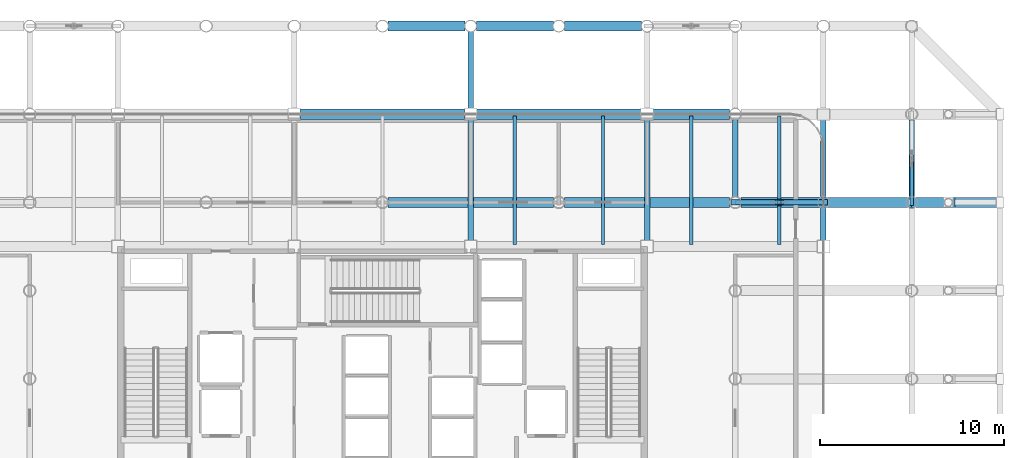
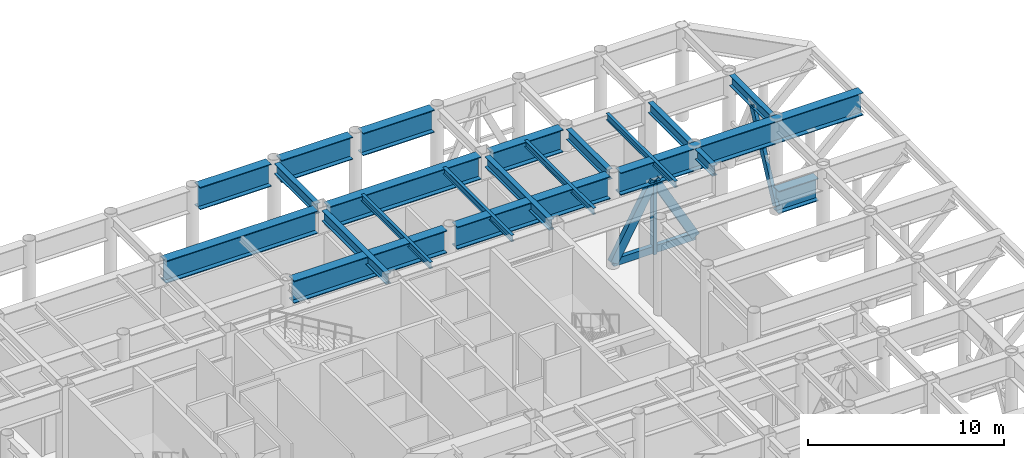
# One storey, part 10 of 20: 21 beams, 5 members.
"""IFC4 building model written with IfcOpenShell, lengths in metres."""

from ifc_helpers import new_model, si_unit, direction, frame, origin, origin_2d, place, context, subcontext, project, spatial, hollow_rectangle, i_section, extrude, material, material_profile, profile_set, type_object, element, save


model = new_model("IFC4")

# Units and contexts
model_context = context("Model", 3, precision=1e-05, world=origin(), true_north=direction((0.0, 1.0)))
body_context = subcontext(model_context, "Body", "Model", "MODEL_VIEW")
ifc_project = project(units=[si_unit("LENGTHUNIT", "METRE"), si_unit("AREAUNIT", "SQUARE_METRE"), si_unit("VOLUMEUNIT", "CUBIC_METRE"), si_unit("PLANEANGLEUNIT", "RADIAN"), si_unit("MASSUNIT", "GRAM", prefix="KILO")], contexts=[model_context])

# Site, building, storey
site_placement = place(None, origin())
site = spatial("IfcSite", under=ifc_project, at=site_placement, CompositionType="ELEMENT")
building_placement = place(site_placement, origin())
building = spatial("IfcBuilding", under=site, at=building_placement, Name="Kallvorn Hotel Tower", CompositionType="ELEMENT")
storey_placement = place(building_placement, frame((0.0, 0.0, 185.5)))
storey = spatial("IfcBuildingStorey", under=building, at=storey_placement, Name="L46", CompositionType="ELEMENT", Elevation=185.5)

# Beams
ifc_material_1 = material(Name="Structural steel S355JR", Category="steel")
ifc_material_profile_1 = material_profile(ifc_material_1, i_section(OverallWidth=0.300048828125, OverallDepth=0.64990234375, WebThickness=0.01611328125, FlangeThickness=0.031005859375, at=origin_2d()), Name="HE 650 B")
ifc_profile_set_1 = profile_set([ifc_material_profile_1], Name="Structural steel S355JR")
beam_type_1 = type_object("IfcBeamType", Name="BM_HE650B", PredefinedType="BEAM", material=ifc_profile_set_1)
beam_1_placement = place(storey_placement, frame((4.800048828125, 7.52490234375, 5.4951171875), z_axis=(0.0, 1.0, 0.0), x_axis=(-1.0, 0.0, 0.0)))
element("IfcBeam", 1, at=beam_1_placement, inside=storey, type_object=beam_type_1, Name="L47 Primary Y-Girder 126", PredefinedType="BEAM", context=body_context, shape_type="SweptSolid", body=[
    extrude(i_section(OverallWidth=0.300048828125, OverallDepth=0.64990234375, WebThickness=0.01611328125, FlangeThickness=0.031005859375, at=origin_2d()), origin(), (0.0, 0.0, 1.0), 6.550048828125),
])
beam_2_placement = place(storey_placement, frame((4.800048828125, 14.72509765625, 5.4951171875), z_axis=(0.0, 1.0, 0.0), x_axis=(-1.0, 0.0, 0.0)))
element("IfcBeam", 2, at=beam_2_placement, inside=storey, type_object=beam_type_1, Name="L47 Primary Y-Girder 127", PredefinedType="BEAM", context=body_context, shape_type="SweptSolid", body=[
    extrude(i_section(OverallWidth=0.300048828125, OverallDepth=0.64990234375, WebThickness=0.01611328125, FlangeThickness=0.031005859375, at=origin_2d()), origin(), (0.0, 0.0, 1.0), 4.169921875),
])
beam_3_placement = place(storey_placement, frame((14.39990234375, 7.52490234375, 5.4951171875), z_axis=(0.0, 1.0, 0.0), x_axis=(-1.0, 0.0, 0.0)))
element("IfcBeam", 3, at=beam_3_placement, inside=storey, type_object=beam_type_1, Name="L47 Primary Y-Girder 134", PredefinedType="BEAM", context=body_context, shape_type="SweptSolid", body=[
    extrude(i_section(OverallWidth=0.300048828125, OverallDepth=0.64990234375, WebThickness=0.01611328125, FlangeThickness=0.031005859375, at=origin_2d()), origin(), (0.0, 0.0, 1.0), 6.550048828125),
])
beam_4_placement = place(storey_placement, frame((19.199951171875, 9.905029296875, 5.4951171875), z_axis=(0.0, 1.0, 0.0), x_axis=(-1.0, 0.0, 0.0)))
element("IfcBeam", 4, at=beam_4_placement, inside=storey, type_object=beam_type_1, Name="L47 Primary Y-Girder 143", PredefinedType="BEAM", context=body_context, shape_type="SweptSolid", body=[
    extrude(i_section(OverallWidth=0.300048828125, OverallDepth=0.64990234375, WebThickness=0.01611328125, FlangeThickness=0.031005859375, at=origin_2d()), origin(), (0.0, 0.0, 1.0), 4.18994140625),
])
beam_5_placement = place(storey_placement, frame((24.0, 7.52490234375, 5.4951171875), z_axis=(0.0, 1.0, 0.0), x_axis=(-1.0, 0.0, 0.0)))
element("IfcBeam", 5, at=beam_5_placement, inside=storey, type_object=beam_type_1, Name="L47 Primary Y-Girder 149", PredefinedType="BEAM", context=body_context, shape_type="SweptSolid", body=[
    extrude(i_section(OverallWidth=0.300048828125, OverallDepth=0.64990234375, WebThickness=0.01611328125, FlangeThickness=0.031005859375, at=origin_2d()), origin(), (0.0, 0.0, 1.0), 1.77001953125),
])
beam_6_placement = place(storey_placement, frame((24.0, 9.905029296875, 5.4951171875), z_axis=(0.0, 1.0, 0.0), x_axis=(-1.0, 0.0, 0.0)))
element("IfcBeam", 6, at=beam_6_placement, inside=storey, type_object=beam_type_1, Name="L47 Primary Y-Girder 150", PredefinedType="BEAM", context=body_context, shape_type="SweptSolid", body=[
    extrude(i_section(OverallWidth=0.300048828125, OverallDepth=0.64990234375, WebThickness=0.01611328125, FlangeThickness=0.031005859375, at=origin_2d()), origin(), (0.0, 0.0, 1.0), 4.169921875),
])
beam_7_placement = place(storey_placement, frame((28.800048828125, 9.905029296875, 5.4951171875), z_axis=(0.0, 1.0, 0.0), x_axis=(-1.0, 0.0, 0.0)))
element("IfcBeam", 7, at=beam_7_placement, inside=storey, type_object=beam_type_1, Name="L47 Primary Y-Girder 158", PredefinedType="BEAM", context=body_context, shape_type="SweptSolid", body=[
    extrude(i_section(OverallWidth=0.300048828125, OverallDepth=0.64990234375, WebThickness=0.01611328125, FlangeThickness=0.031005859375, at=origin_2d()), origin(), (0.0, 0.0, 1.0), 4.18994140625),
])
ifc_material_2 = material(Name="Structural steel S355JR", Category="steel")
ifc_material_profile_2 = material_profile(ifc_material_2, i_section(OverallWidth=0.179931640625, OverallDepth=0.39990234375, WebThickness=0.008544921875, FlangeThickness=0.013427734375, at=origin_2d()), Name="IPE 400")
ifc_profile_set_2 = profile_set([ifc_material_profile_2], Name="Structural steel S355JR")
beam_type_2 = type_object("IfcBeamType", Name="BM_IPE400", PredefinedType="JOIST", material=ifc_profile_set_2)
for number, where, z_axis, x_axis, name in (
    (8, (7.199951171875, 7.300048828125, 5.6201171875), (0.0, 1.0, 0.0), (-1.0, 0.0, 0.0), "L47 Secondary Composite Joist 212"),
    (9, (12.0, 7.300048828125, 5.6201171875), (0.0, 1.0, 0.0), (-1.0, 0.0, 0.0), "L47 Secondary Composite Joist 214"),
    (10, (16.800048828125, 7.300048828125, 5.6201171875), (0.0, 1.0, 0.0), (-1.0, 0.0, 0.0), "L47 Secondary Composite Joist 216"),
    (11, (21.60009765625, 7.300048828125, 5.6201171875), (0.0, 1.0, 0.0), (-1.0, 0.0, 0.0), "L47 Secondary Composite Joist 218"),
):
    element("IfcBeam", number, at=place(storey_placement, frame(where, z_axis=z_axis, x_axis=x_axis)), inside=storey, type_object=beam_type_2, Name=name, PredefinedType="JOIST", context=body_context, shape_type="SweptSolid", body=[
        extrude(i_section(OverallWidth=0.179931640625, OverallDepth=0.39990234375, WebThickness=0.008544921875, FlangeThickness=0.013427734375, at=origin_2d()), origin(), (0.0, 0.0, 1.0), 7.0),
    ])
ifc_material_3 = material(Name="Structural steel S355JR", Category="steel")
ifc_material_profile_3 = material_profile(ifc_material_3, i_section(OverallWidth=0.550048828125, OverallDepth=1.39990234375, WebThickness=0.02490234375, FlangeThickness=0.044921875, at=origin_2d()), Name="PG 1400x550x25x45")
ifc_profile_set_3 = profile_set([ifc_material_profile_3], Name="Structural steel S355JR")
beam_type_3 = type_object("IfcBeamType", Name="BM_PG_1400", PredefinedType="BEAM", material=ifc_profile_set_3)
beam_8_placement = place(storey_placement, frame((19.52001953125, 9.60009765625, 5.1201171875), z_axis=(1.0, 0.0, 0.0), x_axis=(0.0, 1.0, 0.0)))
element("IfcBeam", 12, at=beam_8_placement, inside=storey, type_object=beam_type_3, Name="L47 Continuous Cantilever Transfer Girder 08", PredefinedType="BEAM", context=body_context, shape_type="SweptSolid", body=[
    extrude(i_section(OverallWidth=0.550048828125, OverallDepth=1.39990234375, WebThickness=0.02490234375, FlangeThickness=0.044921875, at=origin_2d()), origin(), (0.0, 0.0, 1.0), 14.260009765625),
])
beam_9_placement = place(storey_placement, frame((28.800048828125, 9.60009765625, 0.719970703125), z_axis=(1.0, 0.0, 0.0), x_axis=(0.0, 1.0, 0.0)))
element("IfcBeam", 13, at=beam_9_placement, inside=storey, type_object=beam_type_3, Name="L47 Cantilever Haunch Corbel 08", PredefinedType="BEAM", context=body_context, shape_type="SweptSolid", body=[
    extrude(i_section(OverallWidth=0.550048828125, OverallDepth=1.39990234375, WebThickness=0.02490234375, FlangeThickness=0.044921875, at=origin_2d()), origin(), (0.0, 0.0, 1.0), 2.349853515625),
])
for number, where, z_axis, x_axis, name in (
    (14, (0.304931640625, 9.60009765625, 5.1201171875), (1.0, 0.0, 0.0), (0.0, 1.0, 0.0), "L47 Primary X-Girder 56"),
    (15, (9.905029296875, 9.60009765625, 5.1201171875), (1.0, 0.0, 0.0), (0.0, 1.0, 0.0), "L47 Primary X-Girder 57"),
):
    element("IfcBeam", number, at=place(storey_placement, frame(where, z_axis=z_axis, x_axis=x_axis)), inside=storey, type_object=beam_type_3, Name=name, PredefinedType="BEAM", context=body_context, shape_type="SweptSolid", body=[
        extrude(i_section(OverallWidth=0.550048828125, OverallDepth=1.39990234375, WebThickness=0.02490234375, FlangeThickness=0.044921875, at=origin_2d()), origin(), (0.0, 0.0, 1.0), 8.989990234375),
    ])
beam_10_placement = place(storey_placement, frame((-4.47509765625, 14.39990234375, 5.1201171875), z_axis=(1.0, 0.0, 0.0), x_axis=(0.0, 1.0, 0.0)))
element("IfcBeam", 16, at=beam_10_placement, inside=storey, type_object=beam_type_3, Name="L47 Primary X-Girder 65", PredefinedType="BEAM", context=body_context, shape_type="SweptSolid", body=[
    extrude(i_section(OverallWidth=0.550048828125, OverallDepth=1.39990234375, WebThickness=0.02490234375, FlangeThickness=0.044921875, at=origin_2d()), origin(), (0.0, 0.0, 1.0), 8.9501953125),
])
beam_11_placement = place(storey_placement, frame((5.125, 14.39990234375, 5.1201171875), z_axis=(1.0, 0.0, 0.0), x_axis=(0.0, 1.0, 0.0)))
element("IfcBeam", 17, at=beam_11_placement, inside=storey, type_object=beam_type_3, Name="L47 Primary X-Girder 66", PredefinedType="BEAM", context=body_context, shape_type="SweptSolid", body=[
    extrude(i_section(OverallWidth=0.550048828125, OverallDepth=1.39990234375, WebThickness=0.02490234375, FlangeThickness=0.044921875, at=origin_2d()), origin(), (0.0, 0.0, 1.0), 8.949951171875),
])
beam_12_placement = place(storey_placement, frame((14.72509765625, 14.39990234375, 5.1201171875), z_axis=(1.0, 0.0, 0.0), x_axis=(0.0, 1.0, 0.0)))
element("IfcBeam", 18, at=beam_12_placement, inside=storey, type_object=beam_type_3, Name="L47 Primary X-Girder 67", PredefinedType="BEAM", context=body_context, shape_type="SweptSolid", body=[
    extrude(i_section(OverallWidth=0.550048828125, OverallDepth=1.39990234375, WebThickness=0.02490234375, FlangeThickness=0.044921875, at=origin_2d()), origin(), (0.0, 0.0, 1.0), 4.169921875),
])
beam_13_placement = place(storey_placement, frame((0.304931640625, 19.199951171875, 5.1201171875), z_axis=(1.0, 0.0, 0.0), x_axis=(0.0, 1.0, 0.0)))
element("IfcBeam", 19, at=beam_13_placement, inside=storey, type_object=beam_type_3, Name="L47 Primary X-Girder 76", PredefinedType="BEAM", context=body_context, shape_type="SweptSolid", body=[
    extrude(i_section(OverallWidth=0.550048828125, OverallDepth=1.39990234375, WebThickness=0.02490234375, FlangeThickness=0.044921875, at=origin_2d()), origin(), (0.0, 0.0, 1.0), 4.190185546875),
])
for number, where, z_axis, x_axis, name in (
    (20, (5.10498046875, 19.199951171875, 5.1201171875), (1.0, 0.0, 0.0), (0.0, 1.0, 0.0), "L47 Primary X-Girder 77"),
    (21, (9.905029296875, 19.199951171875, 5.1201171875), (1.0, 0.0, 0.0), (0.0, 1.0, 0.0), "L47 Primary X-Girder 78"),
):
    element("IfcBeam", number, at=place(storey_placement, frame(where, z_axis=z_axis, x_axis=x_axis)), inside=storey, type_object=beam_type_3, Name=name, PredefinedType="BEAM", context=body_context, shape_type="SweptSolid", body=[
        extrude(i_section(OverallWidth=0.550048828125, OverallDepth=1.39990234375, WebThickness=0.02490234375, FlangeThickness=0.044921875, at=origin_2d()), origin(), (0.0, 0.0, 1.0), 4.18994140625),
    ])

# Members
ifc_material_4 = material(Name="Structural steel S355J2H", Category="steel")
ifc_material_profile_4 = material_profile(ifc_material_4, hollow_rectangle(XDim=0.199951171875, YDim=0.39990234375, WallThickness=0.02001953125, at=origin_2d()), Name="RHS 400x200x20")
ifc_profile_set_4 = profile_set([ifc_material_profile_4], Name="Structural steel S355J2H")
member_type_1 = type_object("IfcMemberType", Name="MBR_BELT_RHS400", PredefinedType="BRACE", material=ifc_profile_set_4)
member_1_placement = place(storey_placement, frame((28.800048828125, 9.60888671875, 0.367919921875), z_axis=(0.0, 0.439131031257, 0.898423028081), x_axis=(-1.0, 0.0, 0.0)))
element("IfcMember", 22, at=member_1_placement, inside=storey, type_object=member_type_1, Name="L46 Belt Truss Diagonal 8A", PredefinedType="BRACE", context=body_context, shape_type="SweptSolid", body=[
    extrude(hollow_rectangle(XDim=0.199951171875, YDim=0.39990234375, WallThickness=0.02001953125, at=origin_2d()), origin(), (0.0, 0.0, 1.0), 5.425048828125),
])
ifc_material_5 = material(Name="Structural steel S355J2H", Category="steel")
ifc_material_profile_5 = material_profile(ifc_material_5, hollow_rectangle(XDim=0.25, YDim=0.449951171875, WallThickness=0.02197265625, at=origin_2d()), Name="RHS 450x250x22")
ifc_profile_set_5 = profile_set([ifc_material_profile_5], Name="Structural steel S355J2H")
member_type_2 = type_object("IfcMemberType", Name="MBR_CHORD_RHS450", PredefinedType="CHORD", material=ifc_profile_set_5)
member_2_placement = place(storey_placement, frame((19.199951171875, 9.60009765625, 0.239990234375), z_axis=(1.0, 0.0, 0.0), x_axis=(0.0, 1.0, 0.0)))
element("IfcMember", 23, at=member_2_placement, inside=storey, type_object=member_type_2, Name="L46 Outrigger Truss Bottom Chord OTE2", PredefinedType="CHORD", context=body_context, shape_type="SweptSolid", body=[
    extrude(hollow_rectangle(XDim=0.25, YDim=0.449951171875, WallThickness=0.02197265625, at=origin_2d()), origin(), (0.0, 0.0, 1.0), 4.800048828125),
])
ifc_material_6 = material(Name="Structural steel S355J2H", Category="steel")
ifc_material_profile_6 = material_profile(ifc_material_6, hollow_rectangle(XDim=0.300048828125, YDim=0.5, WallThickness=0.02490234375, at=origin_2d()), Name="RHS 500x300x25")
ifc_profile_set_6 = profile_set([ifc_material_profile_6], Name="Structural steel S355J2H")
member_type_3 = type_object("IfcMemberType", Name="MBR_OUTRIGGER_RHS500", PredefinedType="BRACE", material=ifc_profile_set_6)
member_3_placement = place(storey_placement, frame((19.199951171875, 9.60009765625, 0.239990234375), z_axis=(0.485659708735, 0.0, 0.874147955046), x_axis=(0.0, 1.0, 0.0)))
element("IfcMember", 24, at=member_3_placement, inside=storey, type_object=member_type_3, Name="L46 Outrigger Truss Diagonal OTE2A", PredefinedType="BRACE", context=body_context, shape_type="SweptSolid", body=[
    extrude(hollow_rectangle(XDim=0.300048828125, YDim=0.5, WallThickness=0.02490234375, at=origin_2d()), origin(), (0.0, 0.0, 1.0), 4.942138671875),
])
member_4_placement = place(storey_placement, frame((24.0, 9.60009765625, 0.239990234375), z_axis=(-0.485621958479, 0.0, 0.874168927292), x_axis=(0.0, -1.0, 0.0)))
element("IfcMember", 25, at=member_4_placement, inside=storey, type_object=member_type_3, Name="L46 Outrigger Truss Diagonal OTE2B", PredefinedType="BRACE", context=body_context, shape_type="SweptSolid", body=[
    extrude(hollow_rectangle(XDim=0.300048828125, YDim=0.5, WallThickness=0.02490234375, at=origin_2d()), origin(), (0.0, 0.0, 1.0), 4.94189453125),
])
ifc_material_7 = material(Name="Structural steel S355J2H", Category="steel")
ifc_material_profile_7 = material_profile(ifc_material_7, hollow_rectangle(XDim=0.199951171875, YDim=0.35009765625, WallThickness=0.01611328125, at=origin_2d()), Name="RHS 350x200x16")
ifc_profile_set_7 = profile_set([ifc_material_profile_7], Name="Structural steel S355J2H")
member_type_4 = type_object("IfcMemberType", Name="MBR_POST_RHS350", PredefinedType="POST", material=ifc_profile_set_7)
member_5_placement = place(storey_placement, frame((21.60009765625, 9.60009765625, -0.0400390625), z_axis=(0.0, 0.0, 1.0), x_axis=(1.0, 0.0, 0.0)))
element("IfcMember", 26, at=member_5_placement, inside=storey, type_object=member_type_4, Name="L46 Outrigger Truss Post OTE2", PredefinedType="POST", context=body_context, shape_type="SweptSolid", body=[
    extrude(hollow_rectangle(XDim=0.199951171875, YDim=0.35009765625, WallThickness=0.01611328125, at=origin_2d()), origin(), (0.0, 0.0, 1.0), 4.5400390625),
])

save(model, "model.ifc")
